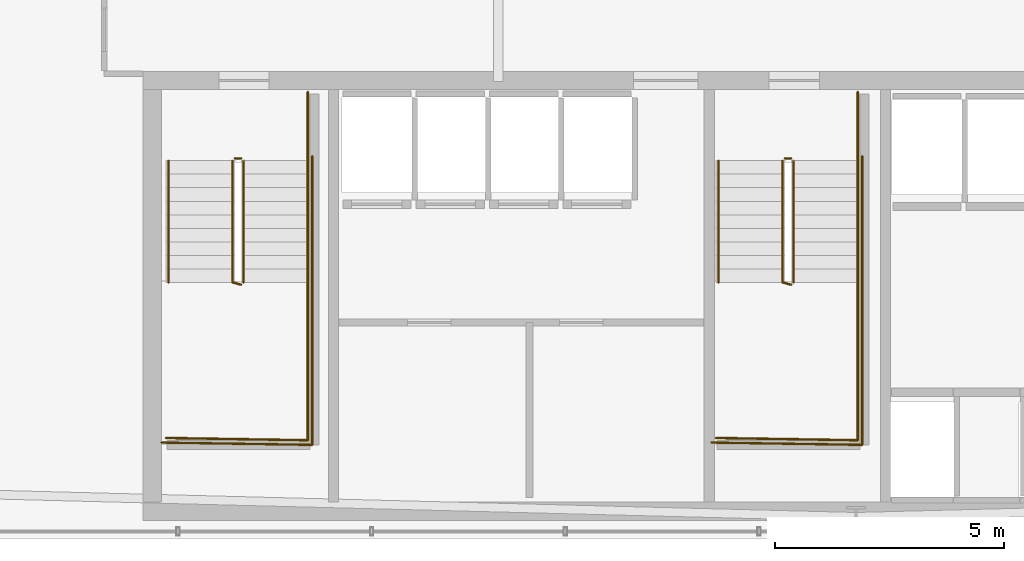
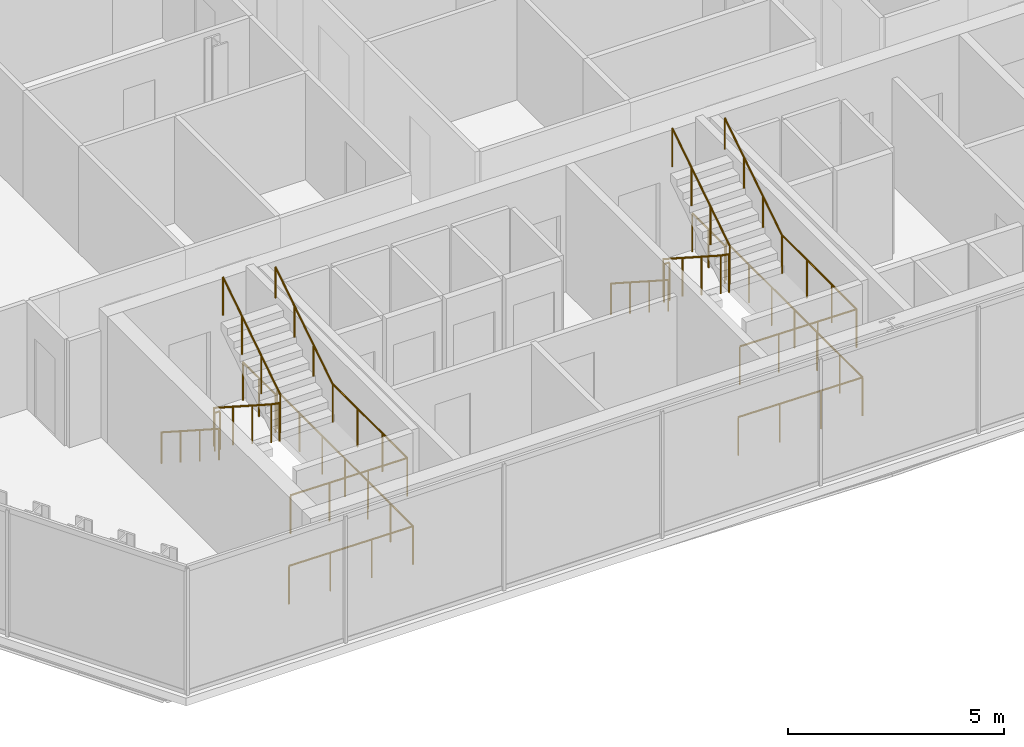
# One storey, part 31 of 33: 16 railings.
"""IFC4 building model written with IfcOpenShell, lengths in metres."""

from ifc_helpers import new_model, si_unit, direction, frame, origin, origin_2d, place, context, subcontext, project, spatial, circle, extrude, material, layer, layer_set, type_object, element, save


model = new_model("IFC4")

# Units and contexts
model_context = context("Model", 3, precision=1e-05, world=origin(), true_north=direction((0.0, 1.0)))
body_context = subcontext(model_context, "Body", "Model", "MODEL_VIEW")
ifc_project = project(units=[si_unit("LENGTHUNIT", "METRE"), si_unit("AREAUNIT", "SQUARE_METRE"), si_unit("VOLUMEUNIT", "CUBIC_METRE"), si_unit("PLANEANGLEUNIT", "RADIAN"), si_unit("MASSUNIT", "GRAM", prefix="KILO")], contexts=[model_context])

# Site, building, storey
site_placement = place(None, origin())
site = spatial("IfcSite", under=ifc_project, at=site_placement, CompositionType="ELEMENT")
building_placement = place(site_placement, origin())
building = spatial("IfcBuilding", under=site, at=building_placement, Name="Ndaravel Arena Tower", CompositionType="ELEMENT")
storey_placement = place(building_placement, frame((0.0, 0.0, 184.0)))
storey = spatial("IfcBuildingStorey", under=building, at=storey_placement, Name="L44", CompositionType="ELEMENT", Elevation=184.0)

# Railings
ifc_material_1 = material(Name="Steel S355", Category="steel")
ifc_layer_1 = layer(ifc_material_1, 0.06005859375)
ifc_layer_set_1 = layer_set([ifc_layer_1], Name="Steel S355")
railing_type_1 = type_object("IfcRailingType", Name="RAIL-STAIR-GD1100", PredefinedType="GUARDRAIL", material=ifc_layer_set_1)
railing_1_placement = place(storey_placement, frame((28.39990234375, 13.25, 0.18994140625)))
element("IfcRailing", 1, at=railing_1_placement, inside=storey, type_object=railing_type_1, Name="L44 ST-1 stair guard 1", PredefinedType="GUARDRAIL", context=body_context, shape_type="SweptSolid", body=[
    extrude(circle(Radius=0.02392578125, at=origin_2d()), frame((0.0, 0.0, 1.076171875), z_axis=(0.0, -0.840723540582, 0.54146461409), x_axis=(1.0, 0.0, 0.0)), (0.0, 0.0, 1.0), 3.157958984375),
    extrude(circle(Radius=0.02392578125, at=origin_2d()), frame((0.0, -2.655029296875, 2.7861328125), z_axis=(0.967074537263, -0.25449329928, 0.0), x_axis=(0.25449329928, 0.967074537263, 0.0)), (0.0, 0.0, 1.0), 0.19677734375),
    extrude(circle(Radius=0.02099609375, at=origin_2d()), origin(), (0.0, 0.0, 1.0), 1.052001953125),
    extrude(circle(Radius=0.02099609375, at=origin_2d()), frame((0.0, -0.885009765625, 0.570068359375)), (0.0, 0.0, 1.0), 1.052001953125),
    extrude(circle(Radius=0.02099609375, at=origin_2d()), frame((0.0, -1.77001953125, 1.139892578125)), (0.0, 0.0, 1.0), 1.052001953125),
    extrude(circle(Radius=0.02099609375, at=origin_2d()), frame((0.0, -2.655029296875, 1.7099609375)), (0.0, 0.0, 1.0), 1.052001953125),
    extrude(circle(Radius=0.02099609375, at=origin_2d()), frame((0.190185546875, -2.705078125, 1.7099609375)), (0.0, 0.0, 1.0), 1.052001953125),
])
railing_2_placement = place(storey_placement, frame((30.0400390625, 10.594970703125, 1.89990234375)))
element("IfcRailing", 2, at=railing_2_placement, inside=storey, type_object=railing_type_1, Name="L44 ST-1 stair guard 2", PredefinedType="GUARDRAIL", context=body_context, shape_type="SweptSolid", body=[
    extrude(circle(Radius=0.02392578125, at=origin_2d()), frame((0.0, 0.0, 1.076171875), z_axis=(0.0, -1.0, 0.0), x_axis=(1.0, 0.0, 0.0)), (0.0, 0.0, 1.0), 3.445068359375),
    extrude(circle(Radius=0.02392578125, at=origin_2d()), frame((0.0, -3.445068359375, 1.076171875), z_axis=(-0.999868861343, 0.016194447071, 0.0), x_axis=(-0.016194447071, -0.999868861343, 0.0)), (0.0, 0.0, 1.0), 3.090576171875),
    extrude(circle(Radius=0.02099609375, at=origin_2d()), origin(), (0.0, 0.0, 1.0), 1.052001953125),
    extrude(circle(Radius=0.02099609375, at=origin_2d()), frame((0.0, -1.1484375, 0.0)), (0.0, 0.0, 1.0), 1.052001953125),
    extrude(circle(Radius=0.02099609375, at=origin_2d()), frame((0.0, -2.296630859375, 0.0)), (0.0, 0.0, 1.0), 1.052001953125),
    extrude(circle(Radius=0.02099609375, at=origin_2d()), frame((0.0, -3.445068359375, 0.0)), (0.0, 0.0, 1.0), 1.052001953125),
    extrude(circle(Radius=0.02099609375, at=origin_2d()), frame((-1.030029296875, -3.428466796875, 0.0)), (0.0, 0.0, 1.0), 1.052001953125),
    extrude(circle(Radius=0.02099609375, at=origin_2d()), frame((-2.06005859375, -3.41162109375, 0.0)), (0.0, 0.0, 1.0), 1.052001953125),
    extrude(circle(Radius=0.02099609375, at=origin_2d()), frame((-3.090087890625, -3.39501953125, 0.0)), (0.0, 0.0, 1.0), 1.052001953125),
])
railing_3_placement = place(storey_placement, frame((28.639892578125, 10.594970703125, 2.090087890625)))
element("IfcRailing", 3, at=railing_3_placement, inside=storey, type_object=railing_type_1, Name="L44 ST-1 stair guard 3", PredefinedType="GUARDRAIL", context=body_context, shape_type="SweptSolid", body=[
    extrude(circle(Radius=0.02392578125, at=origin_2d()), frame((0.0, 0.0, 1.076171875), z_axis=(0.0, 0.840723540582, 0.54146461409), x_axis=(-1.0, 0.0, 0.0)), (0.0, 0.0, 1.0), 3.157958984375),
    extrude(circle(Radius=0.02099609375, at=origin_2d()), origin(), (0.0, 0.0, 1.0), 1.052001953125),
    extrude(circle(Radius=0.02099609375, at=origin_2d()), frame((0.0, 0.885009765625, 0.570068359375)), (0.0, 0.0, 1.0), 1.052001953125),
    extrude(circle(Radius=0.02099609375, at=origin_2d()), frame((0.0, 1.77001953125, 1.139892578125)), (0.0, 0.0, 1.0), 1.052001953125),
    extrude(circle(Radius=0.02099609375, at=origin_2d()), frame((0.0, 2.655029296875, 1.7099609375)), (0.0, 0.0, 1.0), 1.052001953125),
])
railing_4_placement = place(storey_placement, frame((28.449951171875, 13.300048828125, 0.0)))
element("IfcRailing", 4, at=railing_4_placement, inside=storey, type_object=railing_type_1, Name="L44 ST-1 stair guard 4", PredefinedType="GUARDRAIL", context=body_context, shape_type="SweptSolid", body=[
    extrude(circle(Radius=0.02392578125, at=origin_2d()), frame((0.0, 0.0, 1.076171875), z_axis=(1.0, 0.0, 0.0), x_axis=(0.0, 1.0, 0.0)), (0.0, 0.0, 1.0), 0.14013671875),
    extrude(circle(Radius=0.02099609375, at=origin_2d()), origin(), (0.0, 0.0, 1.0), 1.052001953125),
    extrude(circle(Radius=0.02099609375, at=origin_2d()), frame((0.14013671875, 0.0, 0.0)), (0.0, 0.0, 1.0), 1.052001953125),
])
railing_5_placement = place(storey_placement, frame((30.0400390625, 14.75, 0.0)))
element("IfcRailing", 5, at=railing_5_placement, inside=storey, type_object=railing_type_1, Name="L44 ST-1 stair guard 5", PredefinedType="GUARDRAIL", context=body_context, shape_type="SweptSolid", body=[
    extrude(circle(Radius=0.02392578125, at=origin_2d()), frame((0.0, 0.0, 1.076171875), z_axis=(0.0, -1.0, 0.0), x_axis=(1.0, 0.0, 0.0)), (0.0, 0.0, 1.0), 1.5),
    extrude(circle(Radius=0.02099609375, at=origin_2d()), origin(), (0.0, 0.0, 1.0), 1.052001953125),
    extrude(circle(Radius=0.02099609375, at=origin_2d()), frame((0.0, -0.75, 0.0)), (0.0, 0.0, 1.0), 1.052001953125),
    extrude(circle(Radius=0.02099609375, at=origin_2d()), frame((0.0, -1.5, 0.0)), (0.0, 0.0, 1.0), 1.052001953125),
])
railing_6_placement = place(storey_placement, frame((30.139892578125, 13.35009765625, 0.0)))
element("IfcRailing", 6, at=railing_6_placement, inside=storey, type_object=railing_type_1, Name="L44 ST-1 stair guard 6", PredefinedType="GUARDRAIL", context=body_context, shape_type="SweptSolid", body=[
    extrude(circle(Radius=0.02392578125, at=origin_2d()), frame((0.0, 0.0, 1.076171875), z_axis=(0.0, -1.0, 0.0), x_axis=(1.0, 0.0, 0.0)), (0.0, 0.0, 1.0), 6.300048828125),
    extrude(circle(Radius=0.02392578125, at=origin_2d()), frame((0.0, -6.300048828125, 1.076171875), z_axis=(-0.999884296952, 0.015211597839, 0.0), x_axis=(-0.015211597839, -0.999884296952, 0.0)), (0.0, 0.0, 1.0), 3.290283203125),
    extrude(circle(Radius=0.02099609375, at=origin_2d()), origin(), (0.0, 0.0, 1.0), 1.052001953125),
    extrude(circle(Radius=0.02099609375, at=origin_2d()), frame((0.0, -1.050048828125, 0.0)), (0.0, 0.0, 1.0), 1.052001953125),
    extrude(circle(Radius=0.02099609375, at=origin_2d()), frame((0.0, -2.10009765625, 0.0)), (0.0, 0.0, 1.0), 1.052001953125),
    extrude(circle(Radius=0.02099609375, at=origin_2d()), frame((0.0, -3.14990234375, 0.0)), (0.0, 0.0, 1.0), 1.052001953125),
    extrude(circle(Radius=0.02099609375, at=origin_2d()), frame((0.0, -4.199951171875, 0.0)), (0.0, 0.0, 1.0), 1.052001953125),
    extrude(circle(Radius=0.02099609375, at=origin_2d()), frame((0.0, -5.25, 0.0)), (0.0, 0.0, 1.0), 1.052001953125),
    extrude(circle(Radius=0.02099609375, at=origin_2d()), frame((0.0, -6.300048828125, 0.0)), (0.0, 0.0, 1.0), 1.052001953125),
    extrude(circle(Radius=0.02099609375, at=origin_2d()), frame((-1.0966796875, -6.283447265625, 0.0)), (0.0, 0.0, 1.0), 1.052001953125),
    extrude(circle(Radius=0.02099609375, at=origin_2d()), frame((-2.193115234375, -6.2666015625, 0.0)), (0.0, 0.0, 1.0), 1.052001953125),
    extrude(circle(Radius=0.02099609375, at=origin_2d()), frame((-3.289794921875, -6.25, 0.0)), (0.0, 0.0, 1.0), 1.052001953125),
])
railing_7_placement = place(storey_placement, frame((40.39990234375, 13.25, 0.18994140625)))
element("IfcRailing", 7, at=railing_7_placement, inside=storey, type_object=railing_type_1, Name="L44 ST-2 stair guard 1", PredefinedType="GUARDRAIL", context=body_context, shape_type="SweptSolid", body=[
    extrude(circle(Radius=0.02392578125, at=origin_2d()), frame((0.0, 0.0, 1.076171875), z_axis=(0.0, -0.840723540582, 0.54146461409), x_axis=(1.0, 0.0, 0.0)), (0.0, 0.0, 1.0), 3.157958984375),
    extrude(circle(Radius=0.02392578125, at=origin_2d()), frame((0.0, -2.655029296875, 2.7861328125), z_axis=(0.967074537263, -0.25449329928, 0.0), x_axis=(0.25449329928, 0.967074537263, 0.0)), (0.0, 0.0, 1.0), 0.19677734375),
    extrude(circle(Radius=0.02099609375, at=origin_2d()), origin(), (0.0, 0.0, 1.0), 1.052001953125),
    extrude(circle(Radius=0.02099609375, at=origin_2d()), frame((0.0, -0.885009765625, 0.570068359375)), (0.0, 0.0, 1.0), 1.052001953125),
    extrude(circle(Radius=0.02099609375, at=origin_2d()), frame((0.0, -1.77001953125, 1.139892578125)), (0.0, 0.0, 1.0), 1.052001953125),
    extrude(circle(Radius=0.02099609375, at=origin_2d()), frame((0.0, -2.655029296875, 1.7099609375)), (0.0, 0.0, 1.0), 1.052001953125),
    extrude(circle(Radius=0.02099609375, at=origin_2d()), frame((0.190185546875, -2.705078125, 1.7099609375)), (0.0, 0.0, 1.0), 1.052001953125),
])
railing_8_placement = place(storey_placement, frame((42.0400390625, 10.594970703125, 1.89990234375)))
element("IfcRailing", 8, at=railing_8_placement, inside=storey, type_object=railing_type_1, Name="L44 ST-2 stair guard 2", PredefinedType="GUARDRAIL", context=body_context, shape_type="SweptSolid", body=[
    extrude(circle(Radius=0.02392578125, at=origin_2d()), frame((0.0, 0.0, 1.076171875), z_axis=(0.0, -1.0, 0.0), x_axis=(1.0, 0.0, 0.0)), (0.0, 0.0, 1.0), 3.445068359375),
    extrude(circle(Radius=0.02392578125, at=origin_2d()), frame((0.0, -3.445068359375, 1.076171875), z_axis=(-0.999868861343, 0.016194447071, 0.0), x_axis=(-0.016194447071, -0.999868861343, 0.0)), (0.0, 0.0, 1.0), 3.090576171875),
    extrude(circle(Radius=0.02099609375, at=origin_2d()), origin(), (0.0, 0.0, 1.0), 1.052001953125),
    extrude(circle(Radius=0.02099609375, at=origin_2d()), frame((0.0, -1.1484375, 0.0)), (0.0, 0.0, 1.0), 1.052001953125),
    extrude(circle(Radius=0.02099609375, at=origin_2d()), frame((0.0, -2.296630859375, 0.0)), (0.0, 0.0, 1.0), 1.052001953125),
    extrude(circle(Radius=0.02099609375, at=origin_2d()), frame((0.0, -3.445068359375, 0.0)), (0.0, 0.0, 1.0), 1.052001953125),
    extrude(circle(Radius=0.02099609375, at=origin_2d()), frame((-1.030029296875, -3.428466796875, 0.0)), (0.0, 0.0, 1.0), 1.052001953125),
    extrude(circle(Radius=0.02099609375, at=origin_2d()), frame((-2.06005859375, -3.41162109375, 0.0)), (0.0, 0.0, 1.0), 1.052001953125),
    extrude(circle(Radius=0.02099609375, at=origin_2d()), frame((-3.090087890625, -3.39501953125, 0.0)), (0.0, 0.0, 1.0), 1.052001953125),
])
railing_9_placement = place(storey_placement, frame((40.639892578125, 10.594970703125, 2.090087890625)))
element("IfcRailing", 9, at=railing_9_placement, inside=storey, type_object=railing_type_1, Name="L44 ST-2 stair guard 3", PredefinedType="GUARDRAIL", context=body_context, shape_type="SweptSolid", body=[
    extrude(circle(Radius=0.02392578125, at=origin_2d()), frame((0.0, 0.0, 1.076171875), z_axis=(0.0, 0.840723540582, 0.54146461409), x_axis=(-1.0, 0.0, 0.0)), (0.0, 0.0, 1.0), 3.157958984375),
    extrude(circle(Radius=0.02099609375, at=origin_2d()), origin(), (0.0, 0.0, 1.0), 1.052001953125),
    extrude(circle(Radius=0.02099609375, at=origin_2d()), frame((0.0, 0.885009765625, 0.570068359375)), (0.0, 0.0, 1.0), 1.052001953125),
    extrude(circle(Radius=0.02099609375, at=origin_2d()), frame((0.0, 1.77001953125, 1.139892578125)), (0.0, 0.0, 1.0), 1.052001953125),
    extrude(circle(Radius=0.02099609375, at=origin_2d()), frame((0.0, 2.655029296875, 1.7099609375)), (0.0, 0.0, 1.0), 1.052001953125),
])
railing_10_placement = place(storey_placement, frame((40.449951171875, 13.300048828125, 0.0)))
element("IfcRailing", 10, at=railing_10_placement, inside=storey, type_object=railing_type_1, Name="L44 ST-2 stair guard 4", PredefinedType="GUARDRAIL", context=body_context, shape_type="SweptSolid", body=[
    extrude(circle(Radius=0.02392578125, at=origin_2d()), frame((0.0, 0.0, 1.076171875), z_axis=(1.0, 0.0, 0.0), x_axis=(0.0, 1.0, 0.0)), (0.0, 0.0, 1.0), 0.14013671875),
    extrude(circle(Radius=0.02099609375, at=origin_2d()), origin(), (0.0, 0.0, 1.0), 1.052001953125),
    extrude(circle(Radius=0.02099609375, at=origin_2d()), frame((0.14013671875, 0.0, 0.0)), (0.0, 0.0, 1.0), 1.052001953125),
])
railing_11_placement = place(storey_placement, frame((42.0400390625, 14.75, 0.0)))
element("IfcRailing", 11, at=railing_11_placement, inside=storey, type_object=railing_type_1, Name="L44 ST-2 stair guard 5", PredefinedType="GUARDRAIL", context=body_context, shape_type="SweptSolid", body=[
    extrude(circle(Radius=0.02392578125, at=origin_2d()), frame((0.0, 0.0, 1.076171875), z_axis=(0.0, -1.0, 0.0), x_axis=(1.0, 0.0, 0.0)), (0.0, 0.0, 1.0), 1.5),
    extrude(circle(Radius=0.02099609375, at=origin_2d()), origin(), (0.0, 0.0, 1.0), 1.052001953125),
    extrude(circle(Radius=0.02099609375, at=origin_2d()), frame((0.0, -0.75, 0.0)), (0.0, 0.0, 1.0), 1.052001953125),
    extrude(circle(Radius=0.02099609375, at=origin_2d()), frame((0.0, -1.5, 0.0)), (0.0, 0.0, 1.0), 1.052001953125),
])
railing_12_placement = place(storey_placement, frame((42.139892578125, 13.35009765625, 0.0)))
element("IfcRailing", 12, at=railing_12_placement, inside=storey, type_object=railing_type_1, Name="L44 ST-2 stair guard 6", PredefinedType="GUARDRAIL", context=body_context, shape_type="SweptSolid", body=[
    extrude(circle(Radius=0.02392578125, at=origin_2d()), frame((0.0, 0.0, 1.076171875), z_axis=(0.0, -1.0, 0.0), x_axis=(1.0, 0.0, 0.0)), (0.0, 0.0, 1.0), 6.300048828125),
    extrude(circle(Radius=0.02392578125, at=origin_2d()), frame((0.0, -6.300048828125, 1.076171875), z_axis=(-0.999884296952, 0.015211597839, 0.0), x_axis=(-0.015211597839, -0.999884296952, 0.0)), (0.0, 0.0, 1.0), 3.290283203125),
    extrude(circle(Radius=0.02099609375, at=origin_2d()), origin(), (0.0, 0.0, 1.0), 1.052001953125),
    extrude(circle(Radius=0.02099609375, at=origin_2d()), frame((0.0, -1.050048828125, 0.0)), (0.0, 0.0, 1.0), 1.052001953125),
    extrude(circle(Radius=0.02099609375, at=origin_2d()), frame((0.0, -2.10009765625, 0.0)), (0.0, 0.0, 1.0), 1.052001953125),
    extrude(circle(Radius=0.02099609375, at=origin_2d()), frame((0.0, -3.14990234375, 0.0)), (0.0, 0.0, 1.0), 1.052001953125),
    extrude(circle(Radius=0.02099609375, at=origin_2d()), frame((0.0, -4.199951171875, 0.0)), (0.0, 0.0, 1.0), 1.052001953125),
    extrude(circle(Radius=0.02099609375, at=origin_2d()), frame((0.0, -5.25, 0.0)), (0.0, 0.0, 1.0), 1.052001953125),
    extrude(circle(Radius=0.02099609375, at=origin_2d()), frame((0.0, -6.300048828125, 0.0)), (0.0, 0.0, 1.0), 1.052001953125),
    extrude(circle(Radius=0.02099609375, at=origin_2d()), frame((-1.0966796875, -6.283447265625, 0.0)), (0.0, 0.0, 1.0), 1.052001953125),
    extrude(circle(Radius=0.02099609375, at=origin_2d()), frame((-2.193115234375, -6.2666015625, 0.0)), (0.0, 0.0, 1.0), 1.052001953125),
    extrude(circle(Radius=0.02099609375, at=origin_2d()), frame((-3.289794921875, -6.25, 0.0)), (0.0, 0.0, 1.0), 1.052001953125),
])
ifc_material_2 = material(Name="Steel S355", Category="steel")
ifc_layer_2 = layer(ifc_material_2, 0.050048828125)
ifc_layer_set_2 = layer_set([ifc_layer_2], Name="Steel S355")
railing_type_2 = type_object("IfcRailingType", Name="RAIL-STAIR-HR920", PredefinedType="HANDRAIL", material=ifc_layer_set_2)
railing_13_placement = place(storey_placement, frame((27.0, 13.25, 0.18994140625)))
element("IfcRailing", 13, at=railing_13_placement, inside=storey, type_object=railing_type_2, Name="L44 ST-1 stair handrail 1", PredefinedType="HANDRAIL", context=body_context, shape_type="SweptSolid", body=[
    extrude(circle(Radius=0.02392578125, at=origin_2d()), frame((0.0, 0.0, 0.8759765625), z_axis=(0.0, -0.840723540582, 0.54146461409), x_axis=(1.0, 0.0, 0.0)), (0.0, 0.0, 1.0), 3.157958984375),
    extrude(circle(Radius=0.02099609375, at=origin_2d()), origin(), (0.0, 0.0, 1.0), 0.851806640625),
    extrude(circle(Radius=0.02099609375, at=origin_2d()), frame((0.0, -0.885009765625, 0.570068359375)), (0.0, 0.0, 1.0), 0.851806640625),
    extrude(circle(Radius=0.02099609375, at=origin_2d()), frame((0.0, -1.77001953125, 1.139892578125)), (0.0, 0.0, 1.0), 0.851806640625),
    extrude(circle(Radius=0.02099609375, at=origin_2d()), frame((0.0, -2.655029296875, 1.7099609375)), (0.0, 0.0, 1.0), 0.851806640625),
])
railing_14_placement = place(storey_placement, frame((30.0400390625, 10.594970703125, 2.090087890625)))
element("IfcRailing", 14, at=railing_14_placement, inside=storey, type_object=railing_type_2, Name="L44 ST-1 stair handrail 2", PredefinedType="HANDRAIL", context=body_context, shape_type="SweptSolid", body=[
    extrude(circle(Radius=0.02392578125, at=origin_2d()), frame((0.0, 0.0, 0.8759765625), z_axis=(0.0, 0.840723540582, 0.54146461409), x_axis=(-1.0, 0.0, 0.0)), (0.0, 0.0, 1.0), 3.157958984375),
    extrude(circle(Radius=0.02099609375, at=origin_2d()), origin(), (0.0, 0.0, 1.0), 0.851806640625),
    extrude(circle(Radius=0.02099609375, at=origin_2d()), frame((0.0, 0.885009765625, 0.570068359375)), (0.0, 0.0, 1.0), 0.851806640625),
    extrude(circle(Radius=0.02099609375, at=origin_2d()), frame((0.0, 1.77001953125, 1.139892578125)), (0.0, 0.0, 1.0), 0.851806640625),
    extrude(circle(Radius=0.02099609375, at=origin_2d()), frame((0.0, 2.655029296875, 1.7099609375)), (0.0, 0.0, 1.0), 0.851806640625),
])
railing_15_placement = place(storey_placement, frame((39.0, 13.25, 0.18994140625)))
element("IfcRailing", 15, at=railing_15_placement, inside=storey, type_object=railing_type_2, Name="L44 ST-2 stair handrail 1", PredefinedType="HANDRAIL", context=body_context, shape_type="SweptSolid", body=[
    extrude(circle(Radius=0.02392578125, at=origin_2d()), frame((0.0, 0.0, 0.8759765625), z_axis=(0.0, -0.840723540582, 0.54146461409), x_axis=(1.0, 0.0, 0.0)), (0.0, 0.0, 1.0), 3.157958984375),
    extrude(circle(Radius=0.02099609375, at=origin_2d()), origin(), (0.0, 0.0, 1.0), 0.851806640625),
    extrude(circle(Radius=0.02099609375, at=origin_2d()), frame((0.0, -0.885009765625, 0.570068359375)), (0.0, 0.0, 1.0), 0.851806640625),
    extrude(circle(Radius=0.02099609375, at=origin_2d()), frame((0.0, -1.77001953125, 1.139892578125)), (0.0, 0.0, 1.0), 0.851806640625),
    extrude(circle(Radius=0.02099609375, at=origin_2d()), frame((0.0, -2.655029296875, 1.7099609375)), (0.0, 0.0, 1.0), 0.851806640625),
])
railing_16_placement = place(storey_placement, frame((42.0400390625, 10.594970703125, 2.090087890625)))
element("IfcRailing", 16, at=railing_16_placement, inside=storey, type_object=railing_type_2, Name="L44 ST-2 stair handrail 2", PredefinedType="HANDRAIL", context=body_context, shape_type="SweptSolid", body=[
    extrude(circle(Radius=0.02392578125, at=origin_2d()), frame((0.0, 0.0, 0.8759765625), z_axis=(0.0, 0.840723540582, 0.54146461409), x_axis=(-1.0, 0.0, 0.0)), (0.0, 0.0, 1.0), 3.157958984375),
    extrude(circle(Radius=0.02099609375, at=origin_2d()), origin(), (0.0, 0.0, 1.0), 0.851806640625),
    extrude(circle(Radius=0.02099609375, at=origin_2d()), frame((0.0, 0.885009765625, 0.570068359375)), (0.0, 0.0, 1.0), 0.851806640625),
    extrude(circle(Radius=0.02099609375, at=origin_2d()), frame((0.0, 1.77001953125, 1.139892578125)), (0.0, 0.0, 1.0), 0.851806640625),
    extrude(circle(Radius=0.02099609375, at=origin_2d()), frame((0.0, 2.655029296875, 1.7099609375)), (0.0, 0.0, 1.0), 0.851806640625),
])

save(model, "model.ifc")
